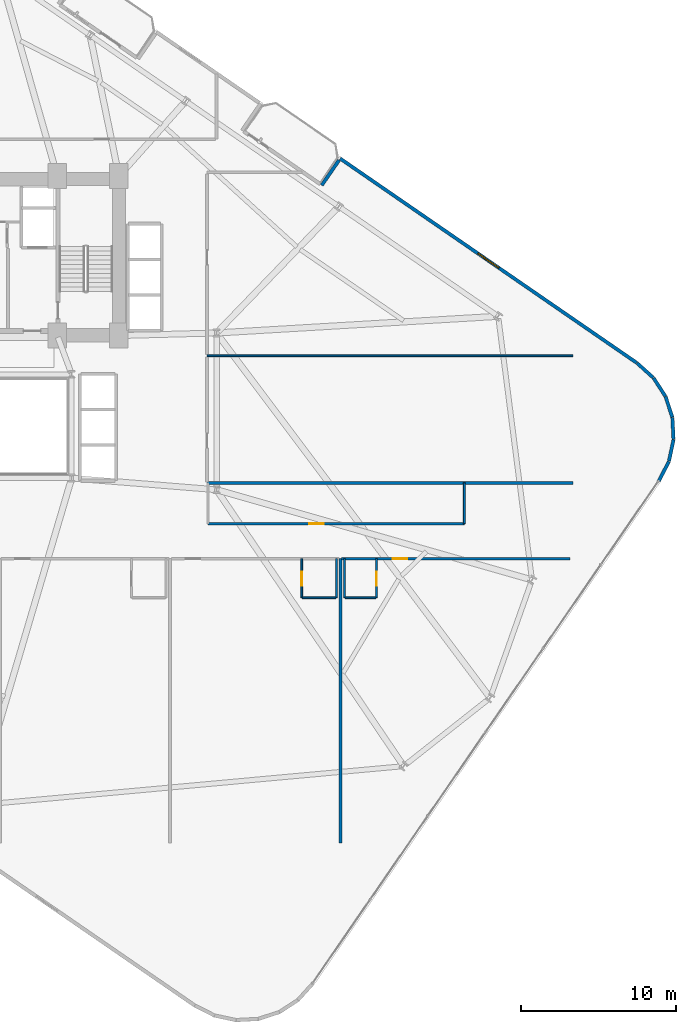
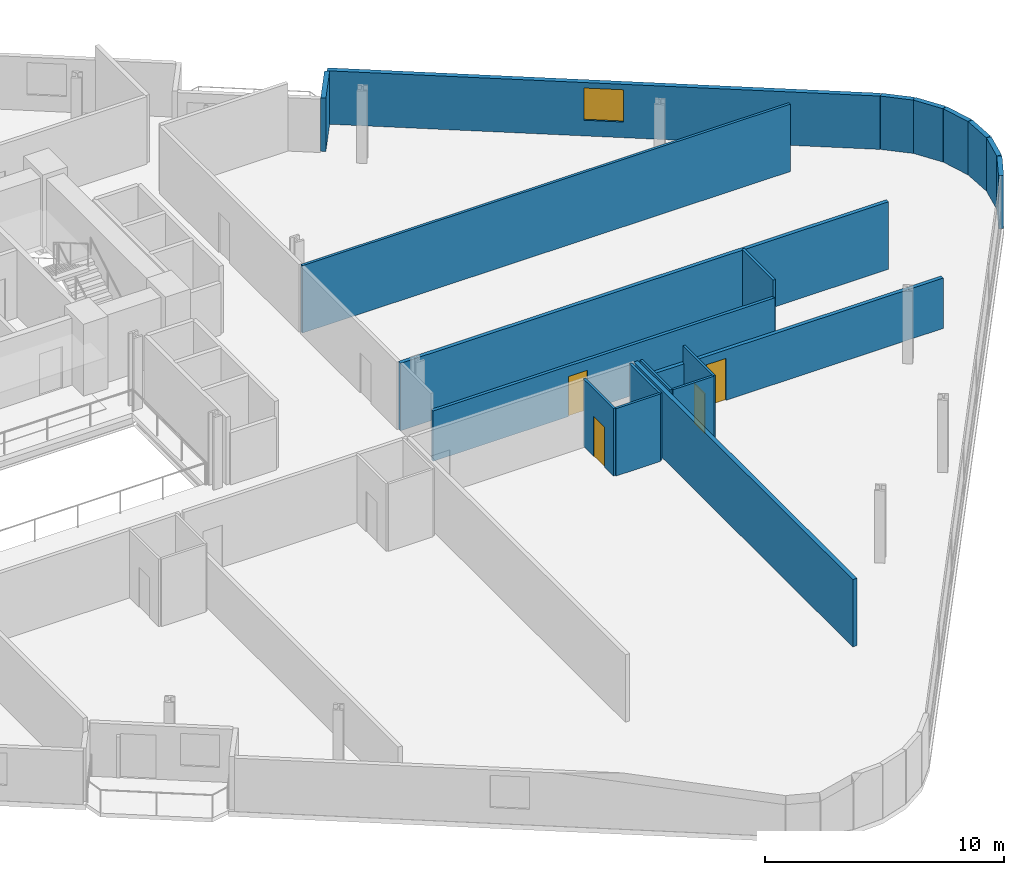
# One storey, part 20 of 24: 20 walls, 4 doors, 1 window, 5 openings.
"""IFC4 building model written with IfcOpenShell, lengths in metres."""

from ifc_helpers import new_model, si_unit, direction, frame, frame_2d, origin, place, context, subcontext, project, spatial, rectangle, extrude, material, layer, layer_set, type_object, element, fill, save


model = new_model("IFC4")

# Units and contexts
model_context = context("Model", 3, precision=1e-05, world=origin(), true_north=direction((0.0, 1.0)))
body_context = subcontext(model_context, "Body", "Model", "MODEL_VIEW")
ifc_project = project(units=[si_unit("LENGTHUNIT", "METRE"), si_unit("AREAUNIT", "SQUARE_METRE"), si_unit("VOLUMEUNIT", "CUBIC_METRE"), si_unit("PLANEANGLEUNIT", "RADIAN"), si_unit("MASSUNIT", "GRAM", prefix="KILO")], contexts=[model_context])

# Site, building, storey
site_placement = place(None, origin())
site = spatial("IfcSite", under=ifc_project, at=site_placement, CompositionType="ELEMENT")
building_placement = place(site_placement, origin())
building = spatial("IfcBuilding", under=site, at=building_placement, Name="Varnelok Gate Tower", CompositionType="ELEMENT")
storey_placement = place(building_placement, frame((0.0, 0.0, 41.800048828125)))
storey = spatial("IfcBuildingStorey", under=building, at=storey_placement, Name="L09", CompositionType="ELEMENT", Elevation=41.800048828125)

# Walls
ifc_material_1 = material(Name="Concrete C45/55", Category="concrete")
ifc_layer_1 = layer(ifc_material_1, 0.219970703125)
ifc_layer_set_1 = layer_set([ifc_layer_1], Name="Concrete C45/55")
wall_type_1 = type_object("IfcWallType", Name="EW-BALC-220", PredefinedType="SOLIDWALL", material=ifc_layer_set_1)
wall_1_placement = place(storey_placement, frame((82.55810546875, 19.355224609375, 0.0), z_axis=(0.0, 0.0, 1.0), x_axis=(0.454777156549, 0.890605264908, 0.0)))
element("IfcWall", 1, at=wall_1_placement, inside=storey, type_object=wall_type_1, Name="L09 Perimeter Facade Closure Wall 20", PredefinedType="SOLIDWALL", context=body_context, shape_type="SweptSolid", body=[
    extrude(rectangle(XDim=1.43017578125, YDim=0.219970703125, at=frame_2d((0.715087890625, 0.0))), origin(), (0.0, 0.0, 1.0), 2.72998046875),
])
wall_2_placement = place(storey_placement, frame((83.2138671875, 20.653564453125, 0.0), z_axis=(0.0, 0.0, 1.0), x_axis=(0.208829011645, 0.977952168511, 0.0)))
element("IfcWall", 2, at=wall_2_placement, inside=storey, type_object=wall_type_1, Name="L09 Perimeter Facade Closure Wall 21", PredefinedType="SOLIDWALL", context=body_context, shape_type="SweptSolid", body=[
    extrude(rectangle(XDim=1.4052734375, YDim=0.219970703125, at=frame_2d((0.70263671875, 0.0))), origin(), (0.0, 0.0, 1.0), 2.72998046875),
])
wall_3_placement = place(storey_placement, frame((83.506103515625, 22.052734375, 0.0), z_axis=(0.0, 0.0, 1.0), x_axis=(-0.051245849735, 0.998686068234, 0.0)))
element("IfcWall", 3, at=wall_3_placement, inside=storey, type_object=wall_type_1, Name="L09 Perimeter Facade Closure Wall 22", PredefinedType="SOLIDWALL", context=body_context, shape_type="SweptSolid", body=[
    extrude(rectangle(XDim=1.405517578125, YDim=0.219970703125, at=frame_2d((0.70263671875, 0.0))), origin(), (0.0, 0.0, 1.0), 2.72998046875),
])
for number, where, z_axis, x_axis, name in (
    (4, (83.426513671875, 23.47998046875, 0.0), (0.0, 0.0, 1.0), (-0.308033059501, 0.951375653596, 0.0), "L09 Perimeter Facade Closure Wall 23"),
    (5, (82.97998046875, 24.837890625, 0.0), (0.0, 0.0, 1.0), (-0.543748195851, 0.839248413468, 0.0), "L09 Perimeter Facade Closure Wall 24"),
):
    element("IfcWall", number, at=place(storey_placement, frame(where, z_axis=z_axis, x_axis=x_axis)), inside=storey, type_object=wall_type_1, Name=name, PredefinedType="SOLIDWALL", context=body_context, shape_type="SweptSolid", body=[
        extrude(rectangle(XDim=1.4052734375, YDim=0.219970703125, at=frame_2d((0.70263671875, 0.0))), origin(), (0.0, 0.0, 1.0), 2.72998046875),
    ])
wall_4_placement = place(storey_placement, frame((82.197265625, 26.033935546875, 0.0), z_axis=(0.0, 0.0, 1.0), x_axis=(-0.742374254638, 0.669985422268, 0.0)))
element("IfcWall", 6, at=wall_4_placement, inside=storey, type_object=wall_type_1, Name="L09 Perimeter Facade Closure Wall 25", PredefinedType="SOLIDWALL", context=body_context, shape_type="SweptSolid", body=[
    extrude(rectangle(XDim=1.4130859375, YDim=0.219970703125, at=frame_2d((0.70654296875, 0.0))), origin(), (0.0, 0.0, 1.0), 2.72998046875),
])

# Wall, opening, window
wall_5_placement = place(storey_placement, frame((81.12744140625, 26.994873046875, 0.0), z_axis=(0.0, 0.0, 1.0), x_axis=(-0.823530169317, 0.567272474411, 0.0)))
wall_5 = element("IfcWall", 7, at=wall_5_placement, inside=storey, type_object=wall_type_1, Name="L09 Perimeter Facade Closure Wall 26", PredefinedType="SOLIDWALL", context=body_context, shape_type="SweptSolid", body=[
    extrude(rectangle(XDim=23.247314453125, YDim=0.219970703125, at=frame_2d((11.62353515625, 0.0))), origin(), (0.0, 0.0, 1.0), 2.72998046875),
])
opening_1_placement = place(wall_5_placement, frame((10.798583984375, 0.0, 0.800048828125)))
opening_1 = element("IfcOpeningElement", 8, at=opening_1_placement, cuts=wall_5, Name="Opening WN3", PredefinedType="OPENING", context=body_context, shape_type="SweptSolid", body=[
    extrude(rectangle(XDim=1.64990234375, YDim=1.64990234375, at=frame_2d((0.824951171875, 0.824951171875))), frame((0.0, 0.119873046875, 0.0), z_axis=(0.0, -1.0, 0.0), x_axis=(1.0, 0.0, 0.0)), (0.0, 0.0, 1.0), 0.239990234375),
])
ifc_material_2 = material(Name="Low-E Laminated Double Glazing IGU", Category="glass")
window_type = type_object("IfcWindowType", Name="WN-HTL-1650", PartitioningType="SINGLE_PANEL", PredefinedType="WINDOW", material=ifc_material_2)
window_placement = place(opening_1_placement, origin())
window = element("IfcWindow", 9, at=window_placement, inside=storey, type_object=window_type, Name="L09 Perimeter Vision Window 26", OverallHeight=1.64990234375, OverallWidth=1.64990234375, PartitioningType="SINGLE_PANEL", PredefinedType="WINDOW", context=body_context, shape_type="SweptSolid", body=[
    extrude(rectangle(XDim=1.64990234375, YDim=1.64990234375, at=frame_2d((0.824951171875, 0.824951171875))), frame((0.0, 0.030029296875, 0.0), z_axis=(0.0, -1.0, 0.0), x_axis=(1.0, 0.0, 0.0)), (0.0, 0.0, 1.0), 0.06005859375),
])
fill(opening_1, window)

# Wall
wall_6_placement = place(storey_placement, frame((61.91162109375, 40.079345703125, 0.0), z_axis=(0.0, 0.0, 1.0), x_axis=(-0.567189720735, -0.82358716642, 0.0)))
element("IfcWall", 10, at=wall_6_placement, inside=storey, type_object=wall_type_1, Name="L09 Perimeter Facade Closure Wall 27", PredefinedType="SOLIDWALL", context=body_context, shape_type="SweptSolid", body=[
    extrude(rectangle(XDim=1.974853515625, YDim=0.219970703125, at=frame_2d((0.9873046875, 0.0))), origin(), (0.0, 0.0, 1.0), 2.72998046875),
])

# Wall, opening, door
ifc_material_3 = material(Name="Gypsum Plasterboard Acoustic Partition", Category="gypsum")
ifc_layer_2 = layer(ifc_material_3, 0.179931640625)
ifc_layer_set_2 = layer_set([ifc_layer_2], Name="Gypsum Plasterboard Acoustic Partition")
wall_type_2 = type_object("IfcWallType", Name="PW-CORR-180", PredefinedType="PARTITIONING", material=ifc_layer_set_2)
wall_7_placement = place(storey_placement, frame((62.080078125, 14.35009765625, 0.0), z_axis=(0.0, 0.0, 1.0), x_axis=(1.0, 0.0, 0.0)))
wall_7 = element("IfcWall", 11, at=wall_7_placement, inside=storey, type_object=wall_type_2, Name="Interior Partition", PredefinedType="PARTITIONING", context=body_context, shape_type="SweptSolid", body=[
    extrude(rectangle(XDim=14.739990234375, YDim=0.179931640625, at=frame_2d((7.3701171875, 0.0))), origin(), (0.0, 0.0, 1.0), 2.579833984375),
])
opening_2_placement = place(wall_7_placement, frame((3.283935546875, 0.0, 0.0)))
opening_2 = element("IfcOpeningElement", 12, at=opening_2_placement, cuts=wall_7, Name="Opening D-HT", PredefinedType="OPENING", context=body_context, shape_type="SweptSolid", body=[
    extrude(rectangle(XDim=0.949951171875, YDim=2.14990234375, at=frame_2d((0.47509765625, 1.074951171875))), frame((0.0, 0.099853515625, 0.0), z_axis=(0.0, -1.0, 0.0), x_axis=(1.0, 0.0, 0.0)), (0.0, 0.0, 1.0), 0.199951171875),
])
ifc_material_4 = material(Name="Engineered Hardwood Timber", Category="wood")
door_type_1 = type_object("IfcDoorType", Name="DR-HTL-950", OperationType="NOTDEFINED", PredefinedType="DOOR", material=ifc_material_4)
door_1_placement = place(opening_2_placement, origin())
door_1 = element("IfcDoor", 13, at=door_1_placement, inside=storey, type_object=door_type_1, Name="L09 Guest Room 06 Entrance Door", OperationType="SINGLE_SWING_LEFT", OverallHeight=2.14990234375, OverallWidth=0.949951171875, PredefinedType="DOOR", context=body_context, shape_type="SweptSolid", body=[
    extrude(rectangle(XDim=0.949951171875, YDim=2.14990234375, at=frame_2d((0.47509765625, 1.074951171875))), frame((0.0, 0.02490234375, 0.0), z_axis=(0.0, -1.0, 0.0), x_axis=(1.0, 0.0, 0.0)), (0.0, 0.0, 1.0), 0.050048828125),
])
fill(opening_2, door_1)

# Walls
wall_8_placement = place(storey_placement, frame((53.389892578125, 19.239990234375, 0.0), z_axis=(0.0, 0.0, 1.0), x_axis=(1.0, 0.0, 0.0)))
element("IfcWall", 14, at=wall_8_placement, inside=storey, type_object=wall_type_2, Name="Interior Partition", PredefinedType="PARTITIONING", context=body_context, shape_type="SweptSolid", body=[
    extrude(rectangle(XDim=23.610107421875, YDim=0.179931640625, at=frame_2d((11.80517578125, 0.0))), origin(), (0.0, 0.0, 1.0), 3.449951171875),
])
ifc_layer_3 = layer(ifc_material_3, 0.114990234375)
ifc_layer_set_3 = layer_set([ifc_layer_3], Name="Gypsum Plasterboard Acoustic Partition")
wall_type_3 = type_object("IfcWallType", Name="PW-ENS-125", PredefinedType="PARTITIONING", material=ifc_layer_set_3)
wall_9_placement = place(storey_placement, frame((59.550048828125, 11.830078125, 0.0), z_axis=(0.0, 0.0, 1.0), x_axis=(1.0, 0.0, 0.0)))
element("IfcWall", 15, at=wall_9_placement, inside=storey, type_object=wall_type_3, Name="Interior Partition", PredefinedType="PARTITIONING", context=body_context, shape_type="SweptSolid", body=[
    extrude(rectangle(XDim=2.14990234375, YDim=0.114990234375, at=frame_2d((1.074951171875, 0.0))), origin(), (0.0, 0.0, 1.0), 3.449951171875),
])

# Wall, opening, door
wall_10_placement = place(storey_placement, frame((59.510009765625, 11.830078125, 0.0), z_axis=(0.0, 0.0, 1.0), x_axis=(0.0, 1.0, 0.0)))
wall_10 = element("IfcWall", 16, at=wall_10_placement, inside=storey, type_object=wall_type_3, Name="Interior Partition", PredefinedType="PARTITIONING", context=body_context, shape_type="SweptSolid", body=[
    extrude(rectangle(XDim=2.52001953125, YDim=0.114990234375, at=frame_2d((1.260009765625, 0.0))), origin(), (0.0, 0.0, 1.0), 3.449951171875),
])
opening_3_placement = place(wall_10_placement, frame((0.760009765625, 0.0, 0.0)))
opening_3 = element("IfcOpeningElement", 17, at=opening_3_placement, cuts=wall_10, Name="Opening D-WC", PredefinedType="OPENING", context=body_context, shape_type="SweptSolid", body=[
    extrude(rectangle(XDim=0.89990234375, YDim=2.050048828125, at=frame_2d((0.449951171875, 1.02490234375))), frame((0.0, 0.0673828125, 0.0), z_axis=(0.0, -1.0, 0.0), x_axis=(1.0, 0.0, 0.0)), (0.0, 0.0, 1.0), 0.135009765625),
])
door_type_2 = type_object("IfcDoorType", Name="DR-BATH-900", OperationType="NOTDEFINED", PredefinedType="DOOR", material=ifc_material_4)
door_2_placement = place(opening_3_placement, origin())
door_2 = element("IfcDoor", 18, at=door_2_placement, inside=storey, type_object=door_type_2, Name="L09 Guest En-Suite 05 Door", OperationType="SINGLE_SWING_RIGHT", OverallHeight=2.050048828125, OverallWidth=0.89990234375, PredefinedType="DOOR", context=body_context, shape_type="SweptSolid", body=[
    extrude(rectangle(XDim=0.89990234375, YDim=2.050048828125, at=frame_2d((0.449951171875, 1.02490234375))), frame((0.0, 0.02490234375, 0.0), z_axis=(0.0, -1.0, 0.0), x_axis=(1.0, 0.0, 0.0)), (0.0, 0.0, 1.0), 0.050048828125),
])
fill(opening_3, door_2)

# Walls
wall_11_placement = place(storey_placement, frame((61.739990234375, 11.830078125, 0.0), z_axis=(0.0, 0.0, 1.0), x_axis=(0.0, 1.0, 0.0)))
element("IfcWall", 19, at=wall_11_placement, inside=storey, type_object=wall_type_3, Name="Interior Partition", PredefinedType="PARTITIONING", context=body_context, shape_type="SweptSolid", body=[
    extrude(rectangle(XDim=2.52001953125, YDim=0.114990234375, at=frame_2d((1.260009765625, 0.0))), origin(), (0.0, 0.0, 1.0), 3.449951171875),
])
wall_12_placement = place(storey_placement, frame((62.300048828125, 11.830078125, 0.0), z_axis=(0.0, 0.0, 1.0), x_axis=(1.0, 0.0, 0.0)))
element("IfcWall", 20, at=wall_12_placement, inside=storey, type_object=wall_type_3, Name="Interior Partition", PredefinedType="PARTITIONING", context=body_context, shape_type="SweptSolid", body=[
    extrude(rectangle(XDim=1.987060546875, YDim=0.114990234375, at=frame_2d((0.99365234375, 0.0))), origin(), (0.0, 0.0, 1.0), 3.449951171875),
])

# Wall, opening, door
wall_13_placement = place(storey_placement, frame((64.3271484375, 11.830078125, 0.0), z_axis=(0.0, 0.0, 1.0), x_axis=(0.0, 1.0, 0.0)))
wall_13 = element("IfcWall", 21, at=wall_13_placement, inside=storey, type_object=wall_type_3, Name="Interior Partition", PredefinedType="PARTITIONING", context=body_context, shape_type="SweptSolid", body=[
    extrude(rectangle(XDim=2.52001953125, YDim=0.114990234375, at=frame_2d((1.260009765625, 0.0))), origin(), (0.0, 0.0, 1.0), 3.449951171875),
])
opening_4_placement = place(wall_13_placement, frame((0.760009765625, 0.0, 0.0)))
opening_4 = element("IfcOpeningElement", 22, at=opening_4_placement, cuts=wall_13, Name="Opening D-WC", PredefinedType="OPENING", context=body_context, shape_type="SweptSolid", body=[
    extrude(rectangle(XDim=0.89990234375, YDim=2.050048828125, at=frame_2d((0.449951171875, 1.02490234375))), frame((0.0, 0.0673828125, 0.0), z_axis=(0.0, -1.0, 0.0), x_axis=(1.0, 0.0, 0.0)), (0.0, 0.0, 1.0), 0.135009765625),
])
door_3_placement = place(opening_4_placement, origin())
door_3 = element("IfcDoor", 23, at=door_3_placement, inside=storey, type_object=door_type_2, Name="L09 Guest En-Suite 06 Door", OperationType="SINGLE_SWING_LEFT", OverallHeight=2.050048828125, OverallWidth=0.89990234375, PredefinedType="DOOR", context=body_context, shape_type="SweptSolid", body=[
    extrude(rectangle(XDim=0.89990234375, YDim=2.050048828125, at=frame_2d((0.449951171875, 1.02490234375))), frame((0.0, 0.02490234375, 0.0), z_axis=(0.0, -1.0, 0.0), x_axis=(1.0, 0.0, 0.0)), (0.0, 0.0, 1.0), 0.050048828125),
])
fill(opening_4, door_3)

# Walls
wall_14_placement = place(storey_placement, frame((62.260009765625, 11.830078125, 0.0), z_axis=(0.0, 0.0, 1.0), x_axis=(0.0, 1.0, 0.0)))
element("IfcWall", 24, at=wall_14_placement, inside=storey, type_object=wall_type_3, Name="Interior Partition", PredefinedType="PARTITIONING", context=body_context, shape_type="SweptSolid", body=[
    extrude(rectangle(XDim=2.52001953125, YDim=0.114990234375, at=frame_2d((1.260009765625, 0.0))), origin(), (0.0, 0.0, 1.0), 3.449951171875),
])
ifc_layer_4 = layer(ifc_material_3, 0.125)
ifc_layer_set_4 = layer_set([ifc_layer_4], Name="Gypsum Plasterboard Acoustic Partition")
wall_type_4 = type_object("IfcWallType", Name="PW-PART-125", PredefinedType="PARTITIONING", material=ifc_layer_set_4)
wall_15_placement = place(storey_placement, frame((70.0, 16.610107421875, 0.0), z_axis=(0.0, 0.0, 1.0), x_axis=(0.0, 1.0, 0.0)))
element("IfcWall", 25, at=wall_15_placement, inside=storey, type_object=wall_type_4, Name="Interior Partition", PredefinedType="PARTITIONING", context=body_context, shape_type="SweptSolid", body=[
    extrude(rectangle(XDim=2.6298828125, YDim=0.125, at=frame_2d((1.31494140625, 0.0))), origin(), (0.0, 0.0, 1.0), 3.449951171875),
])
wall_16_placement = place(storey_placement, frame((53.389892578125, 27.449951171875, 0.0), z_axis=(0.0, 0.0, 1.0), x_axis=(1.0, 0.0, 0.0)))
element("IfcWall", 26, at=wall_16_placement, inside=storey, type_object=wall_type_4, Name="Interior Partition", PredefinedType="PARTITIONING", context=body_context, shape_type="SweptSolid", body=[
    extrude(rectangle(XDim=23.610107421875, YDim=0.125, at=frame_2d((11.80517578125, 0.0))), origin(), (0.0, 0.0, 1.0), 3.449951171875),
])

# Wall, opening, door
ifc_layer_5 = layer(ifc_material_3, 0.14990234375)
ifc_layer_set_5 = layer_set([ifc_layer_5], Name="Gypsum Plasterboard Acoustic Partition")
wall_type_5 = type_object("IfcWallType", Name="PW-PART-150", PredefinedType="PARTITIONING", material=ifc_layer_set_5)
wall_17_placement = place(storey_placement, frame((53.449951171875, 16.610107421875, 0.0), z_axis=(0.0, 0.0, 1.0), x_axis=(1.0, 0.0, 0.0)))
wall_17 = element("IfcWall", 27, at=wall_17_placement, inside=storey, type_object=wall_type_5, Name="Interior Partition", PredefinedType="PARTITIONING", context=body_context, shape_type="SweptSolid", body=[
    extrude(rectangle(XDim=16.550048828125, YDim=0.14990234375, at=frame_2d((8.27490234375, 0.0))), origin(), (0.0, 0.0, 1.0), 2.579833984375),
])
opening_5_placement = place(wall_17_placement, frame((6.547607421875, 0.0, 0.0)))
opening_5 = element("IfcOpeningElement", 28, at=opening_5_placement, cuts=wall_17, Name="Opening D-I3", PredefinedType="OPENING", context=body_context, shape_type="SweptSolid", body=[
    extrude(rectangle(XDim=0.919921875, YDim=2.050048828125, at=frame_2d((0.4599609375, 1.02490234375))), frame((0.0, 0.0849609375, 0.0), z_axis=(0.0, -1.0, 0.0), x_axis=(1.0, 0.0, 0.0)), (0.0, 0.0, 1.0), 0.169921875),
])
door_type_3 = type_object("IfcDoorType", Name="DR-INT-920", OperationType="NOTDEFINED", PredefinedType="DOOR", material=ifc_material_4)
door_4_placement = place(opening_5_placement, origin())
door_4 = element("IfcDoor", 29, at=door_4_placement, inside=storey, type_object=door_type_3, Name="L09 Atrium Room 2 Door", OperationType="SINGLE_SWING_LEFT", OverallHeight=2.050048828125, OverallWidth=0.919921875, PredefinedType="DOOR", context=body_context, shape_type="SweptSolid", body=[
    extrude(rectangle(XDim=0.919921875, YDim=2.050048828125, at=frame_2d((0.4599609375, 1.02490234375))), frame((0.0, 0.02490234375, 0.0), z_axis=(0.0, -1.0, 0.0), x_axis=(1.0, 0.0, 0.0)), (0.0, 0.0, 1.0), 0.050048828125),
])
fill(opening_5, door_4)

# Wall
ifc_layer_6 = layer(ifc_material_3, 0.205078125)
ifc_layer_set_6 = layer_set([ifc_layer_6], Name="Gypsum Plasterboard Acoustic Partition")
wall_type_6 = type_object("IfcWallType", Name="PW-PARTY-200", PredefinedType="PARTITIONING", material=ifc_layer_set_6)
wall_18_placement = place(storey_placement, frame((62.0, -4.0, 0.0), z_axis=(0.0, 0.0, 1.0), x_axis=(0.0, 1.0, 0.0)))
element("IfcWall", 30, at=wall_18_placement, inside=storey, type_object=wall_type_6, Name="L09 South Party Wall 5", PredefinedType="PARTITIONING", context=body_context, shape_type="SweptSolid", body=[
    extrude(rectangle(XDim=18.35009765625, YDim=0.205078125, at=frame_2d((9.175048828125, 0.0))), origin(), (0.0, 0.0, 1.0), 3.449951171875),
])

save(model, "model.ifc")
